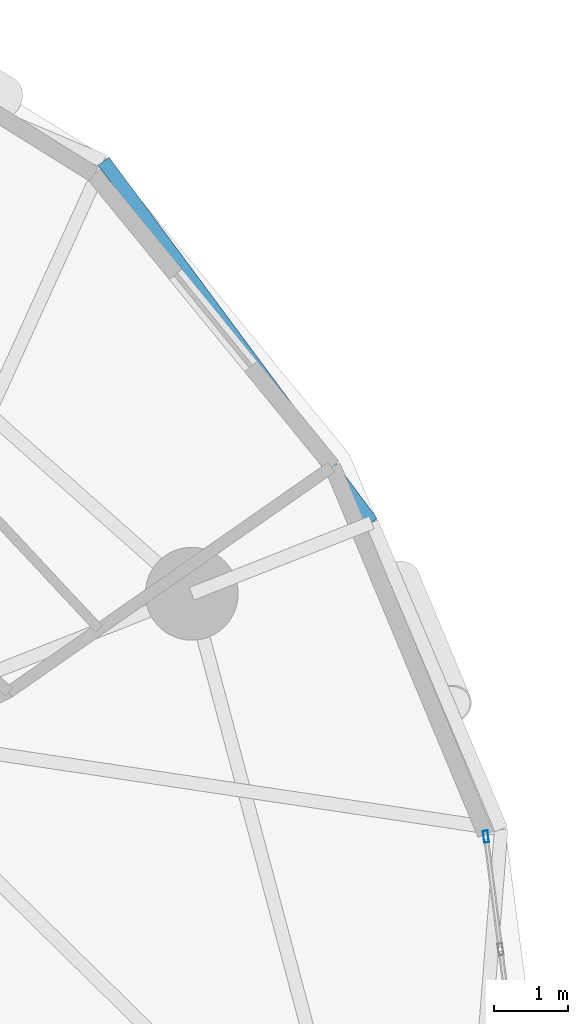
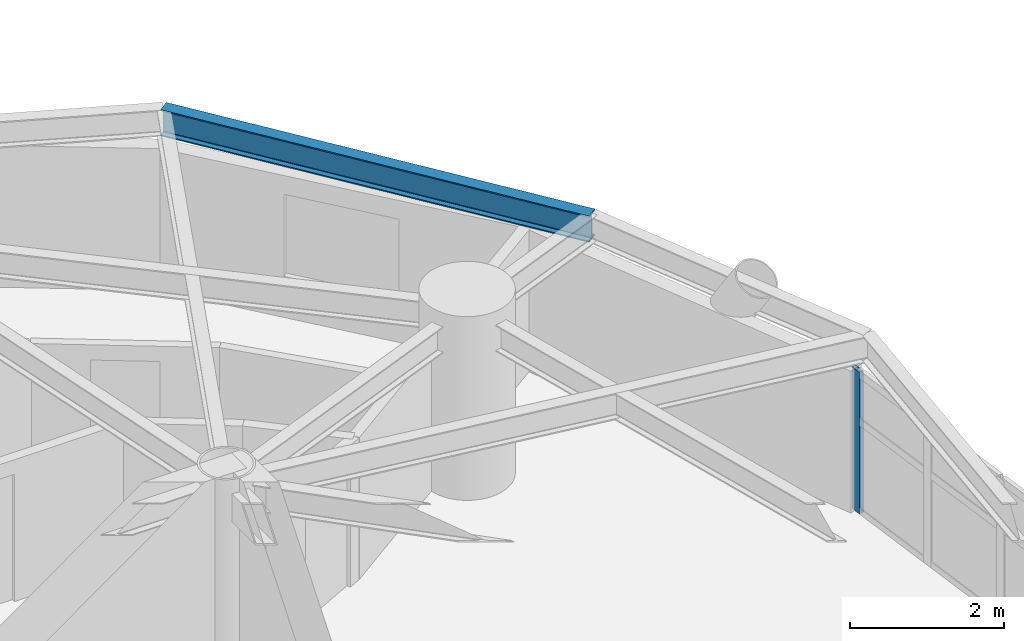
# One storey, part 4 of 17: 1 beam, 1 member, 1 element without a shape of its own.
"""IFC4 building model written with IfcOpenShell, lengths in metres."""

from ifc_helpers import new_model, si_unit, direction, frame, origin, origin_2d, place, context, subcontext, project, spatial, hollow_rectangle, i_section, extrude, material, layer, layer_set, material_profile, profile_set, type_object, element, aggregate, save


model = new_model("IFC4")

# Units and contexts
model_context = context("Model", 3, precision=1e-05, world=origin(), true_north=direction((0.0, 1.0)))
body_context = subcontext(model_context, "Body", "Model", "MODEL_VIEW")
ifc_project = project(units=[si_unit("LENGTHUNIT", "METRE"), si_unit("AREAUNIT", "SQUARE_METRE"), si_unit("VOLUMEUNIT", "CUBIC_METRE"), si_unit("PLANEANGLEUNIT", "RADIAN"), si_unit("MASSUNIT", "GRAM", prefix="KILO")], contexts=[model_context])

# Site, building, storey
site_placement = place(None, origin())
site = spatial("IfcSite", under=ifc_project, at=site_placement, CompositionType="ELEMENT")
building_placement = place(site_placement, origin())
building = spatial("IfcBuilding", under=site, at=building_placement, Name="Cununo Teusaquillo Station Towers", CompositionType="ELEMENT")
storey_placement = place(building_placement, frame((0.0, 0.0, 163.239990234375)))
storey = spatial("IfcBuildingStorey", under=building, at=storey_placement, Name="L51", CompositionType="ELEMENT", Elevation=163.239990234375)

# Beam
ifc_material_1 = material(Name="Steel ASTM A572 Grade 50", Category="steel")
ifc_material_profile_1 = material_profile(ifc_material_1, i_section(OverallWidth=0.180908203125, OverallDepth=0.4169921875, WebThickness=0.010986328125, FlangeThickness=0.018310546875, FilletRadius=0.012939453125, at=origin_2d()), Name="W16X57")
ifc_profile_set_1 = profile_set([ifc_material_profile_1], Name="Steel ASTM A572 Grade 50")
beam_type = type_object("IfcBeamType", Name="BM-RING-Z3", PredefinedType="SPANDREL", material=ifc_profile_set_1)
beam_placement = place(storey_placement, frame((28.771728515625, 34.187744140625, 2.4814453125), z_axis=(-0.595872908853, 0.803078748626, 0.0), x_axis=(-0.803078748626, -0.595872908853, 0.0)))
element("IfcBeam", 1, at=beam_placement, inside=storey, type_object=beam_type, Name="L51 Tower A Spandrel Ring Beam 03", PredefinedType="SPANDREL", context=body_context, shape_type="SweptSolid", body=[
    extrude(i_section(OverallWidth=0.180908203125, OverallDepth=0.4169921875, WebThickness=0.010986328125, FlangeThickness=0.018310546875, FilletRadius=0.012939453125, at=origin_2d()), origin(), (0.0, 0.0, 1.0), 6.059814453125),
])

# Curtain wall, member
ifc_material_2 = material(Name="Operable acoustic tinted low-E double glazing", Category="glass")
ifc_layer = layer(ifc_material_2, 0.179931640625)
ifc_layer_set = layer_set([ifc_layer], Name="Operable acoustic tinted low-E double glazing")
curtain_wall_type = type_object("IfcCurtainWallType", Name="CW-SYS-06", PredefinedType="USERDEFINED", material=ifc_layer_set)
curtain_wall_placement = place(storey_placement, origin())
curtain_wall = element("IfcCurtainWall", 2, at=curtain_wall_placement, inside=storey, type_object=curtain_wall_type, Name="L51 Tower A Facade Curtain Wall C00", ObjectType="OPERABLE GLAZING", PredefinedType="USERDEFINED")
ifc_material_3 = material(Name="Anodised dark bronze aluminium EN AW-6063-T6", Category="aluminium")
ifc_material_profile_2 = material_profile(ifc_material_3, hollow_rectangle(XDim=0.06494140625, YDim=0.159912109375, WallThickness=0.00390625, at=origin_2d()), Name="CW-MULL-65x160")
ifc_profile_set_2 = profile_set([ifc_material_profile_2], Name="Anodised dark bronze aluminium EN AW-6063-T6")
member_type = type_object("IfcMemberType", Name="CWM-160", PredefinedType="MULLION", material=ifc_profile_set_2)
member_placement = place(storey_placement, frame((30.308837890625, 29.958984375, 0.0), z_axis=(0.0, 0.0, 1.0), x_axis=(0.991736321922, 0.128292898403, 0.0)))
member = element("IfcMember", 3, at=member_placement, type_object=member_type, Name="CW-06 mullion 1", PredefinedType="MULLION", context=body_context, shape_type="SweptSolid", body=[
    extrude(hollow_rectangle(XDim=0.06494140625, YDim=0.159912109375, WallThickness=0.00390625, at=origin_2d()), origin(), (0.0, 0.0, 1.0), 2.2451171875),
])
aggregate(curtain_wall, [member])

save(model, "model.ifc")
